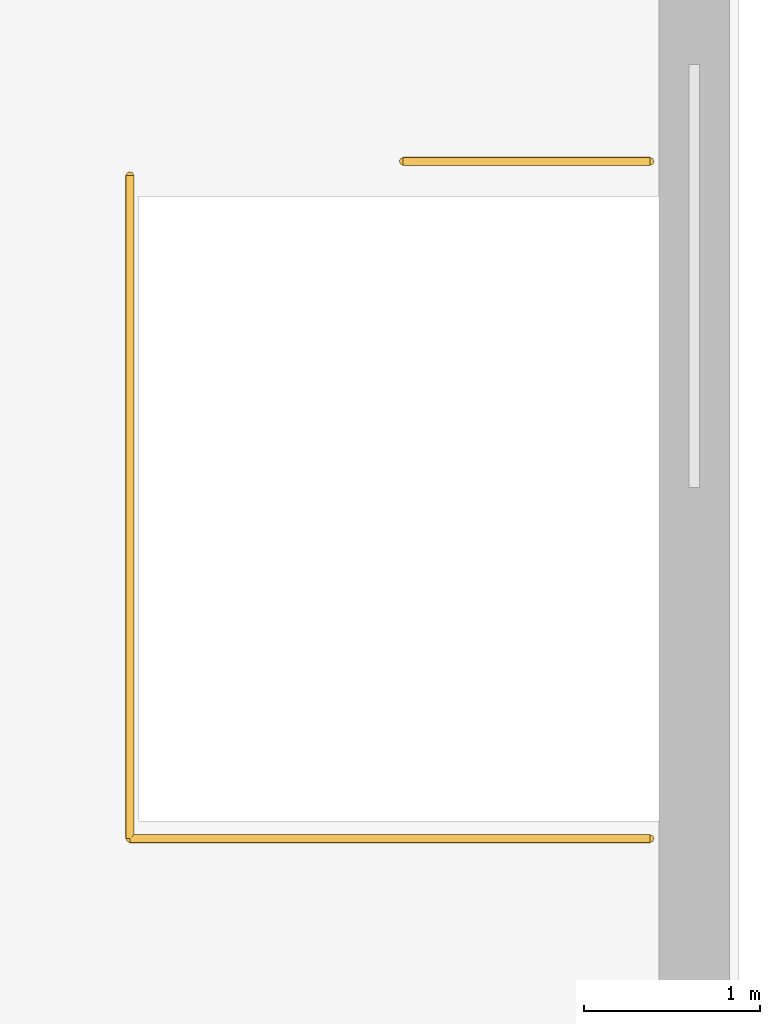
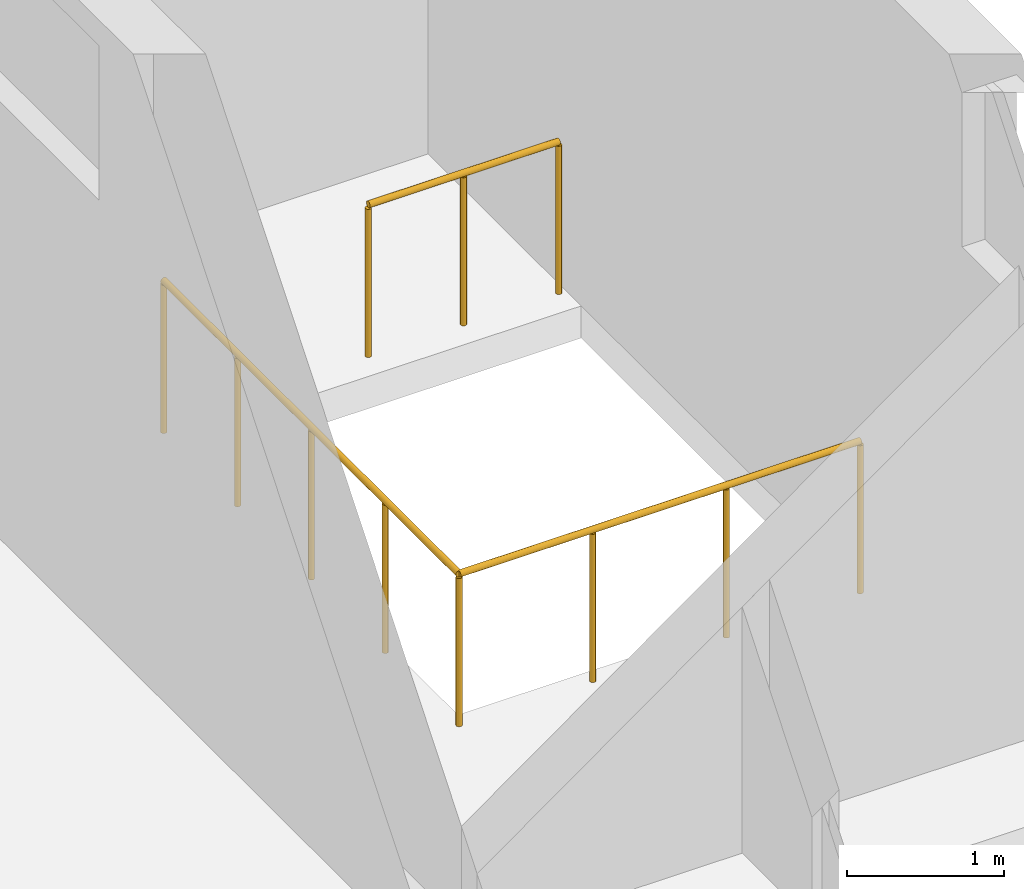
# One storey, part 23 of 23: 2 railings.
"""IFC4 building model written with IfcOpenShell, lengths in metres."""

from ifc_helpers import new_model, si_unit, direction, frame, origin, origin_2d, place, context, subcontext, project, spatial, circle, extrude, material, type_object, element, save


model = new_model("IFC4")

# Units and contexts
model_context = context("Model", 3, precision=1e-05, world=origin(), true_north=direction((0.0, 1.0)))
body_context = subcontext(model_context, "Body", "Model", "MODEL_VIEW")
ifc_project = project(units=[si_unit("LENGTHUNIT", "METRE"), si_unit("AREAUNIT", "SQUARE_METRE"), si_unit("VOLUMEUNIT", "CUBIC_METRE"), si_unit("PLANEANGLEUNIT", "RADIAN"), si_unit("MASSUNIT", "GRAM", prefix="KILO")], contexts=[model_context])

# Site, building, storey
site_placement = place(None, origin())
site = spatial("IfcSite", under=ifc_project, at=site_placement, CompositionType="ELEMENT")
building_placement = place(site_placement, origin())
building = spatial("IfcBuilding", under=site, at=building_placement, Name="Basin Gate Institute", CompositionType="ELEMENT")
storey_placement = place(building_placement, frame((0.0, 0.0, 46.199951171875)))
storey = spatial("IfcBuildingStorey", under=building, at=storey_placement, Name="L09", CompositionType="ELEMENT", Elevation=46.199951171875)

# Railings
ifc_material = material(Name="Stainless steel", Category="steel")
railing_type = type_object("IfcRailingType", Name="Stair guard GR2", PredefinedType="GUARDRAIL", material=ifc_material)
railing_1_placement = place(storey_placement, frame((115.60009765625, 97.8701171875, 0.0)))
element("IfcRailing", 1, at=railing_1_placement, inside=storey, type_object=railing_type, material=ifc_material, Name="Stair guard GR2 EN GD3-L08", PredefinedType="GUARDRAIL", context=body_context, shape_type="SweptSolid", body=[
    extrude(circle(Radius=0.02392578125, at=origin_2d()), frame((0.0, 0.0, 1.17578125), z_axis=(0.0, -1.0, 0.0), x_axis=(1.0, 0.0, 0.0)), (0.0, 0.0, 1.0), 3.760009765625),
    extrude(circle(Radius=0.02392578125, at=origin_2d()), frame((0.0, -3.760009765625, 1.17578125), z_axis=(1.0, 0.0, 0.0), x_axis=(0.0, 1.0, 0.0)), (0.0, 0.0, 1.0), 2.949951171875),
    extrude(circle(Radius=0.02099609375, at=origin_2d()), origin(), (0.0, 0.0, 1.0), 1.15185546875),
    extrude(circle(Radius=0.02099609375, at=origin_2d()), frame((0.0, -0.93994140625, 0.0)), (0.0, 0.0, 1.0), 1.15185546875),
    extrude(circle(Radius=0.02099609375, at=origin_2d()), frame((0.0, -1.8798828125, 0.0)), (0.0, 0.0, 1.0), 1.15185546875),
    extrude(circle(Radius=0.02099609375, at=origin_2d()), frame((0.0, -2.820068359375, 0.0)), (0.0, 0.0, 1.0), 1.15185546875),
    extrude(circle(Radius=0.02099609375, at=origin_2d()), frame((0.0, -3.760009765625, 0.0)), (0.0, 0.0, 1.0), 1.15185546875),
    extrude(circle(Radius=0.02099609375, at=origin_2d()), frame((0.9833984375, -3.760009765625, 0.0)), (0.0, 0.0, 1.0), 1.15185546875),
    extrude(circle(Radius=0.02099609375, at=origin_2d()), frame((1.966552734375, -3.760009765625, 0.0)), (0.0, 0.0, 1.0), 1.15185546875),
    extrude(circle(Radius=0.02099609375, at=origin_2d()), frame((2.949951171875, -3.760009765625, 0.0)), (0.0, 0.0, 1.0), 1.15185546875),
])
railing_2_placement = place(storey_placement, frame((118.550048828125, 97.949951171875, 0.0)))
element("IfcRailing", 2, at=railing_2_placement, inside=storey, type_object=railing_type, material=ifc_material, Name="Stair guard GR2 EN GD4-L08", PredefinedType="GUARDRAIL", context=body_context, shape_type="SweptSolid", body=[
    extrude(circle(Radius=0.02392578125, at=origin_2d()), frame((0.0, 0.0, 1.17578125), z_axis=(-1.0, 0.0, 0.0), x_axis=(0.0, -1.0, 0.0)), (0.0, 0.0, 1.0), 1.400146484375),
    extrude(circle(Radius=0.02099609375, at=origin_2d()), origin(), (0.0, 0.0, 1.0), 1.15185546875),
    extrude(circle(Radius=0.02099609375, at=origin_2d()), frame((-0.7001953125, 0.0, 0.0)), (0.0, 0.0, 1.0), 1.15185546875),
    extrude(circle(Radius=0.02099609375, at=origin_2d()), frame((-1.400146484375, 0.0, 0.0)), (0.0, 0.0, 1.0), 1.15185546875),
])

save(model, "model.ifc")
